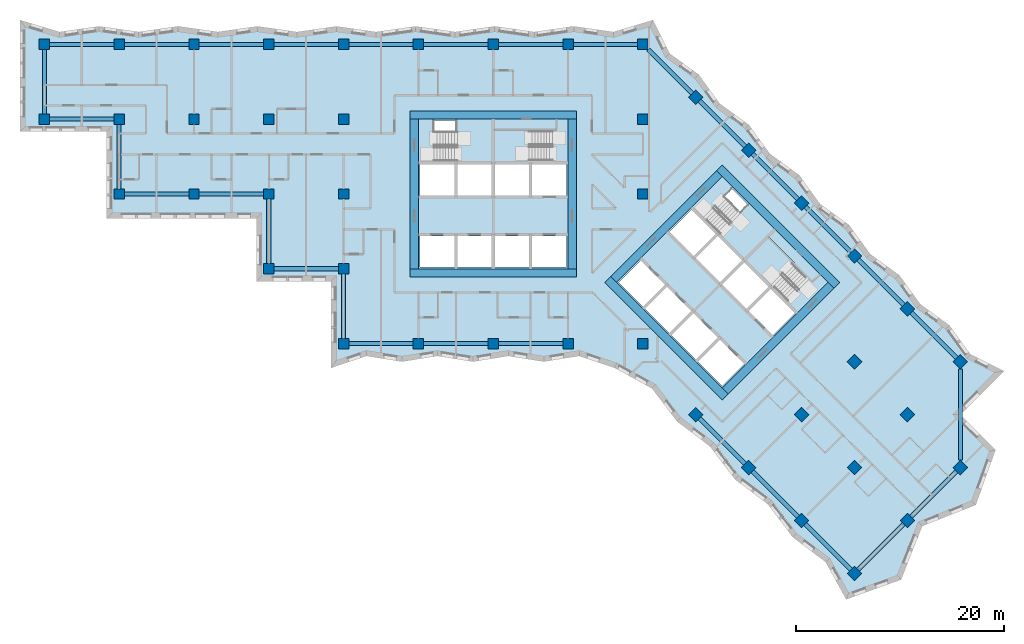
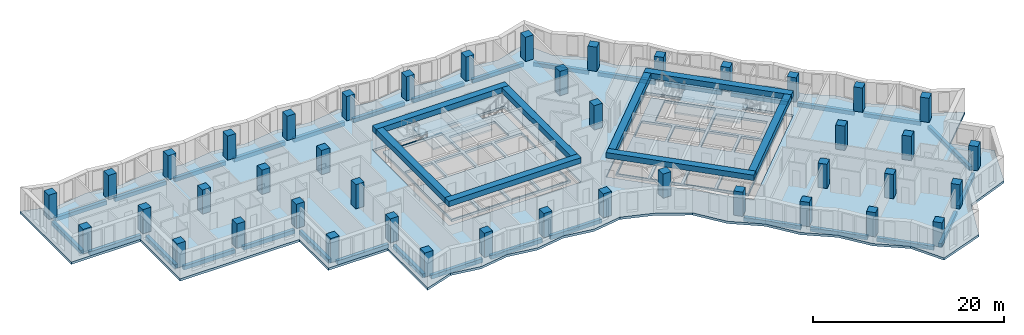
# One storey, part 1 of 13: 43 columns, 39 beams, 7 slabs, 22 openings, 4 elements without a shape of their own.
"""IFC4 building model written with IfcOpenShell, lengths in metres."""

from ifc_helpers import new_model, si_unit, direction, frame, origin, origin_2d, place, context, subcontext, project, spatial, polyline, rectangle, outline, extrude, material, layer, layer_set, material_profile, profile_set, type_object, element, aggregate, save


model = new_model("IFC4")

# Units and contexts
model_context = context("Model", 3, precision=1e-05, world=origin(), true_north=direction((0.0, 1.0)))
body_context = subcontext(model_context, "Body", "Model", "MODEL_VIEW")
ifc_project = project(units=[si_unit("LENGTHUNIT", "METRE"), si_unit("AREAUNIT", "SQUARE_METRE"), si_unit("VOLUMEUNIT", "CUBIC_METRE"), si_unit("PLANEANGLEUNIT", "RADIAN"), si_unit("MASSUNIT", "GRAM", prefix="KILO")], contexts=[model_context])

# Site, building, storey
site_placement = place(None, origin())
site = spatial("IfcSite", under=ifc_project, at=site_placement, CompositionType="ELEMENT")
building_placement = place(site_placement, origin())
building = spatial("IfcBuilding", under=site, at=building_placement, Name="Windrow Commons", CompositionType="ELEMENT")
storey_placement = place(building_placement, frame((0.0, 0.0, 108.4)))
storey = spatial("IfcBuildingStorey", under=building, at=storey_placement, Name="L29", CompositionType="ELEMENT", Elevation=108.4)

# Columns
ifc_material_1 = material(Name="Concrete C60/75", Category="concrete")
ifc_material_profile_1 = material_profile(ifc_material_1, rectangle(XDim=1.0, YDim=1.0, at=origin_2d()))
ifc_profile_set_1 = profile_set([ifc_material_profile_1], Name="Concrete C60/75")
column_type = type_object("IfcColumnType", Name="RC COLUMN 1000x1000 C60/75", PredefinedType="COLUMN", material=ifc_profile_set_1)
for number, where, z_axis, x_axis, name in (
    (1, (21.6, 64.8, 0.0), (0.0, 0.0, 1.0), (1.0, 0.0, 0.0), "C-Z2-04I"),
    (2, (21.6, 72.0, 0.0), (0.0, 0.0, 1.0), (1.0, 0.0, 0.0), "C-Z2-04J"),
    (3, (28.8, 57.6, 0.0), (0.0, 0.0, 1.0), (1.0, 0.0, 0.0), "C-Z2-05H"),
    (4, (28.8, 64.8, 0.0), (0.0, 0.0, 1.0), (1.0, 0.0, 0.0), "C-Z2-05I"),
    (5, (28.8, 72.0, 0.0), (0.0, 0.0, 1.0), (1.0, 0.0, 0.0), "C-Z2-05J"),
    (6, (36.0, 57.6, 0.0), (0.0, 0.0, 1.0), (1.0, 0.0, 0.0), "C-Z2-06H"),
    (7, (36.0, 64.8, 0.0), (0.0, 0.0, 1.0), (1.0, 0.0, 0.0), "C-Z2-06I"),
    (8, (36.0, 72.0, 0.0), (0.0, 0.0, 1.0), (1.0, 0.0, 0.0), "C-Z2-06J"),
    (9, (43.2, 50.4, 0.0), (0.0, 0.0, 1.0), (1.0, 0.0, 0.0), "C-Z2-07G"),
    (10, (43.2, 57.6, 0.0), (0.0, 0.0, 1.0), (1.0, 0.0, 0.0), "C-Z2-07H"),
    (11, (43.2, 64.8, 0.0), (0.0, 0.0, 1.0), (1.0, 0.0, 0.0), "C-Z2-07I"),
    (12, (43.2, 72.0, 0.0), (0.0, 0.0, 1.0), (1.0, 0.0, 0.0), "C-Z2-07J"),
    (13, (50.4, 43.2, 0.0), (0.0, 0.0, 1.0), (1.0, 0.0, 0.0), "C-Z2-08F"),
    (14, (50.4, 50.4, 0.0), (0.0, 0.0, 1.0), (1.0, 0.0, 0.0), "C-Z2-08G"),
    (15, (50.4, 57.6, 0.0), (0.0, 0.0, 1.0), (1.0, 0.0, 0.0), "C-Z2-08H"),
    (16, (50.4, 64.8, 0.0), (0.0, 0.0, 1.0), (1.0, 0.0, 0.0), "C-Z2-08I"),
    (17, (50.4, 72.0, 0.0), (0.0, 0.0, 1.0), (1.0, 0.0, 0.0), "C-Z2-08J"),
    (18, (57.6, 43.2, 0.0), (0.0, 0.0, 1.0), (1.0, 0.0, 0.0), "C-Z2-09F"),
    (19, (57.6, 72.0, 0.0), (0.0, 0.0, 1.0), (1.0, 0.0, 0.0), "C-Z2-09J"),
    (20, (64.8, 43.2, 0.0), (0.0, 0.0, 1.0), (1.0, 0.0, 0.0), "C-Z2-10F"),
    (21, (64.8, 72.0, 0.0), (0.0, 0.0, 1.0), (1.0, 0.0, 0.0), "C-Z2-10J"),
    (22, (72.0, 43.2, 0.0), (0.0, 0.0, 1.0), (1.0, 0.0, 0.0), "C-Z2-11F"),
    (23, (72.0, 72.0, 0.0), (0.0, 0.0, 1.0), (1.0, 0.0, 0.0), "C-Z2-11J"),
    (24, (79.2, 43.2, 0.0), (0.0, 0.0, 1.0), (1.0, 0.0, 0.0), "C-Z2-12F"),
    (25, (79.2, 57.6, 0.0), (0.0, 0.0, 1.0), (1.0, 0.0, 0.0), "C-Z2-12H"),
    (26, (79.2, 64.8, 0.0), (0.0, 0.0, 1.0), (1.0, 0.0, 0.0), "C-Z2-12I"),
    (27, (79.2, 72.0, 0.0), (0.0, 0.0, 1.0), (1.0, 0.0, 0.0), "C-Z2-12J"),
    (28, (84.2912, 66.9088, 0.0), (0.0, 0.0, 1.0), (0.7071067812, -0.7071067812, 0.0), "C-Z2-P2Q"),
    (29, (89.3823, 61.8177, 0.0), (0.0, 0.0, 1.0), (0.7071067812, -0.7071067812, 0.0), "C-Z2-P3Q"),
    (30, (94.4735, 56.7265, 0.0), (0.0, 0.0, 1.0), (0.7071067812, -0.7071067812, 0.0), "C-Z2-P4Q"),
    (31, (99.5647, 51.6353, 0.0), (0.0, 0.0, 1.0), (0.7071067812, -0.7071067812, 0.0), "C-Z2-P5Q"),
    (32, (84.2912, 36.3618, 0.0), (0.0, 0.0, 1.0), (0.7071067812, -0.7071067812, 0.0), "C-Z2-P5T"),
    (33, (104.6558, 46.5442, 0.0), (0.0, 0.0, 1.0), (0.7071067812, -0.7071067812, 0.0), "C-Z2-P6Q"),
    (34, (99.5647, 41.453, 0.0), (0.0, 0.0, 1.0), (0.7071067812, -0.7071067812, 0.0), "C-Z2-P6R"),
    (35, (94.4735, 36.3618, 0.0), (0.0, 0.0, 1.0), (0.7071067812, -0.7071067812, 0.0), "C-Z2-P6S"),
    (36, (89.3823, 31.2706, 0.0), (0.0, 0.0, 1.0), (0.7071067812, -0.7071067812, 0.0), "C-Z2-P6T"),
    (37, (109.747, 41.453, 0.0), (0.0, 0.0, 1.0), (0.7071067812, -0.7071067812, 0.0), "C-Z2-P7Q"),
    (38, (104.6558, 36.3618, 0.0), (0.0, 0.0, 1.0), (0.7071067812, -0.7071067812, 0.0), "C-Z2-P7R"),
    (39, (99.5647, 31.2706, 0.0), (0.0, 0.0, 1.0), (0.7071067812, -0.7071067812, 0.0), "C-Z2-P7S"),
    (40, (94.4735, 26.1795, 0.0), (0.0, 0.0, 1.0), (0.7071067812, -0.7071067812, 0.0), "C-Z2-P7T"),
    (41, (109.747, 31.2706, 0.0), (0.0, 0.0, 1.0), (0.7071067812, -0.7071067812, 0.0), "C-Z2-P8R"),
    (42, (104.6558, 26.1795, 0.0), (0.0, 0.0, 1.0), (0.7071067812, -0.7071067812, 0.0), "C-Z2-P8S"),
    (43, (99.5647, 21.0883, 0.0), (0.0, 0.0, 1.0), (0.7071067812, -0.7071067812, 0.0), "C-Z2-P8T"),
):
    element("IfcColumn", number, at=place(storey_placement, frame(where, z_axis=z_axis, x_axis=x_axis)), inside=storey, type_object=column_type, Name=name, PredefinedType="COLUMN", context=body_context, shape_type="SweptSolid", body=[
        extrude(rectangle(XDim=1.0, YDim=1.0, at=origin_2d()), origin(), (0.0, 0.0, 1.0), 3.1),
    ])

# Beams
ifc_material_2 = material(Name="Concrete C50/60", Category="concrete")
ifc_material_profile_2 = material_profile(ifc_material_2, rectangle(XDim=0.8, YDim=0.7, at=origin_2d()))
ifc_profile_set_2 = profile_set([ifc_material_profile_2], Name="Concrete C50/60")
beam_type_1 = type_object("IfcBeamType", Name="RC COUPLING BEAM 800x700 C50/60", PredefinedType="LINTEL", material=ifc_profile_set_2)
for number, where, z_axis, x_axis, name in (
    (44, (56.8, 50.0, 2.75), (1.0, 0.0, 0.0), (0.0, 1.0, 0.0), "Core A coupling beam outer-S"),
    (45, (56.8, 65.2, 2.75), (1.0, 0.0, 0.0), (0.0, 1.0, 0.0), "Core A coupling beam outer-N"),
):
    element("IfcBeam", number, at=place(storey_placement, frame(where, z_axis=z_axis, x_axis=x_axis)), inside=storey, type_object=beam_type_1, Name=name, PredefinedType="LINTEL", context=body_context, shape_type="SweptSolid", body=[
        extrude(rectangle(XDim=0.8, YDim=0.7, at=origin_2d()), origin(), (0.0, 0.0, 1.0), 16.0),
    ])
for number, where, z_axis, x_axis, name in (
    (46, (57.2, 50.4, 2.75), (0.0, 1.0, 0.0), (-1.0, 0.0, 0.0), "Core A coupling beam outer-W"),
    (47, (72.4, 50.4, 2.75), (0.0, 1.0, 0.0), (-1.0, 0.0, 0.0), "Core A coupling beam outer-E"),
):
    element("IfcBeam", number, at=place(storey_placement, frame(where, z_axis=z_axis, x_axis=x_axis)), inside=storey, type_object=beam_type_1, Name=name, PredefinedType="LINTEL", context=body_context, shape_type="SweptSolid", body=[
        extrude(rectangle(XDim=0.8, YDim=0.7, at=origin_2d()), origin(), (0.0, 0.0, 1.0), 14.4),
    ])
for number, where, z_axis, x_axis, name in (
    (48, (75.8059, 49.3726, 2.75), (0.7071067812, -0.7071067812, 0.0), (0.7071067812, 0.7071067812, 0.0), "Core B coupling beam outer-S"),
    (49, (86.5539, 60.1206, 2.75), (0.7071067812, -0.7071067812, 0.0), (0.7071067812, 0.7071067812, 0.0), "Core B coupling beam outer-N"),
):
    element("IfcBeam", number, at=place(storey_placement, frame(where, z_axis=z_axis, x_axis=x_axis)), inside=storey, type_object=beam_type_1, Name=name, PredefinedType="LINTEL", context=body_context, shape_type="SweptSolid", body=[
        extrude(rectangle(XDim=0.8, YDim=0.7, at=origin_2d()), origin(), (0.0, 0.0, 1.0), 16.0),
    ])
for number, where, z_axis, x_axis, name in (
    (50, (76.3716, 49.3726, 2.75), (0.7071067812, 0.7071067812, 0.0), (-0.7071067812, 0.7071067812, 0.0), "Core B coupling beam outer-W"),
    (51, (87.1196, 38.6246, 2.75), (0.7071067812, 0.7071067812, 0.0), (-0.7071067812, 0.7071067812, 0.0), "Core B coupling beam outer-E"),
):
    element("IfcBeam", number, at=place(storey_placement, frame(where, z_axis=z_axis, x_axis=x_axis)), inside=storey, type_object=beam_type_1, Name=name, PredefinedType="LINTEL", context=body_context, shape_type="SweptSolid", body=[
        extrude(rectangle(XDim=0.8, YDim=0.7, at=origin_2d()), origin(), (0.0, 0.0, 1.0), 14.3999),
    ])
ifc_material_3 = material(Name="Concrete C50/60", Category="concrete")
ifc_material_profile_3 = material_profile(ifc_material_3, rectangle(XDim=0.4, YDim=0.5, at=origin_2d()))
ifc_profile_set_3 = profile_set([ifc_material_profile_3], Name="Concrete C50/60")
beam_type_2 = type_object("IfcBeamType", Name="RC EDGE BEAM 400x500 C50/60", PredefinedType="SPANDREL", material=ifc_profile_set_3)
for number, where, z_axis, x_axis, name in (
    (52, (35.5, 57.6, -0.55), (-1.0, 0.0, 0.0), (0.0, -1.0, 0.0), "Edge beam L29 001"),
    (53, (28.8, 58.1, -0.55), (0.0, 1.0, 0.0), (-1.0, 0.0, 0.0), "Edge beam L29 002"),
    (54, (28.3, 64.8, -0.55), (-1.0, 0.0, 0.0), (0.0, -1.0, 0.0), "Edge beam L29 003"),
    (55, (21.6, 65.3, -0.55), (0.0, 1.0, 0.0), (-1.0, 0.0, 0.0), "Edge beam L29 004"),
    (56, (22.1, 72.0, -0.55), (1.0, 0.0, 0.0), (0.0, 1.0, 0.0), "Edge beam L29 005"),
    (57, (29.3, 72.0, -0.55), (1.0, 0.0, 0.0), (0.0, 1.0, 0.0), "Edge beam L29 006"),
    (58, (36.5, 72.0, -0.55), (1.0, 0.0, 0.0), (0.0, 1.0, 0.0), "Edge beam L29 007"),
    (59, (43.7, 72.0, -0.55), (1.0, 0.0, 0.0), (0.0, 1.0, 0.0), "Edge beam L29 008"),
    (60, (50.9, 72.0, -0.55), (1.0, 0.0, 0.0), (0.0, 1.0, 0.0), "Edge beam L29 009"),
    (61, (58.1, 72.0, -0.55), (1.0, 0.0, 0.0), (0.0, 1.0, 0.0), "Edge beam L29 010"),
    (62, (65.3, 72.0, -0.55), (1.0, 0.0, 0.0), (0.0, 1.0, 0.0), "Edge beam L29 011"),
    (63, (72.5, 72.0, -0.55), (1.0, 0.0, 0.0), (0.0, 1.0, 0.0), "Edge beam L29 012"),
):
    element("IfcBeam", number, at=place(storey_placement, frame(where, z_axis=z_axis, x_axis=x_axis)), inside=storey, type_object=beam_type_2, Name=name, PredefinedType="SPANDREL", context=body_context, shape_type="SweptSolid", body=[
        extrude(rectangle(XDim=0.4, YDim=0.5, at=origin_2d()), origin(), (0.0, 0.0, 1.0), 6.2),
    ])
beam_1_placement = place(storey_placement, frame((79.7, 71.5, -0.55), z_axis=(0.7071067812, -0.7071067812, 0.0), x_axis=(0.7071067812, 0.7071067812, 0.0)))
element("IfcBeam", 64, at=beam_1_placement, inside=storey, type_object=beam_type_2, Name="Edge beam L29 013", PredefinedType="SPANDREL", context=body_context, shape_type="SweptSolid", body=[
    extrude(rectangle(XDim=0.4, YDim=0.5, at=origin_2d()), origin(), (0.0, 0.0, 1.0), 5.9929),
])
beam_2_placement = place(storey_placement, frame((84.6448, 66.5552, -0.55), z_axis=(0.7071067812, -0.7071067812, 0.0), x_axis=(0.7071067812, 0.7071067812, 0.0)))
element("IfcBeam", 65, at=beam_2_placement, inside=storey, type_object=beam_type_2, Name="Edge beam L29 014", PredefinedType="SPANDREL", context=body_context, shape_type="SweptSolid", body=[
    extrude(rectangle(XDim=0.4, YDim=0.5, at=origin_2d()), origin(), (0.0, 0.0, 1.0), 6.1998),
])
for number, where, z_axis, x_axis, name in (
    (66, (89.7359, 61.4641, -0.55), (0.7071067812, -0.7071067812, 0.0), (0.7071067812, 0.7071067812, 0.0), "Edge beam L29 015"),
    (67, (94.8271, 56.3729, -0.55), (0.7071067812, -0.7071067812, 0.0), (0.7071067812, 0.7071067812, 0.0), "Edge beam L29 016"),
):
    element("IfcBeam", number, at=place(storey_placement, frame(where, z_axis=z_axis, x_axis=x_axis)), inside=storey, type_object=beam_type_2, Name=name, PredefinedType="SPANDREL", context=body_context, shape_type="SweptSolid", body=[
        extrude(rectangle(XDim=0.4, YDim=0.5, at=origin_2d()), origin(), (0.0, 0.0, 1.0), 6.1999),
    ])
beam_3_placement = place(storey_placement, frame((99.9183, 51.2817, -0.55), z_axis=(0.7071067812, -0.7071067812, 0.0), x_axis=(0.7071067812, 0.7071067812, 0.0)))
element("IfcBeam", 68, at=beam_3_placement, inside=storey, type_object=beam_type_2, Name="Edge beam L29 017", PredefinedType="SPANDREL", context=body_context, shape_type="SweptSolid", body=[
    extrude(rectangle(XDim=0.4, YDim=0.5, at=origin_2d()), origin(), (0.0, 0.0, 1.0), 6.1998),
])
beam_4_placement = place(storey_placement, frame((105.0094, 46.1906, -0.55), z_axis=(0.7071067812, -0.7071067812, 0.0), x_axis=(0.7071067812, 0.7071067812, 0.0)))
element("IfcBeam", 69, at=beam_4_placement, inside=storey, type_object=beam_type_2, Name="Edge beam L29 018", PredefinedType="SPANDREL", context=body_context, shape_type="SweptSolid", body=[
    extrude(rectangle(XDim=0.4, YDim=0.5, at=origin_2d()), origin(), (0.0, 0.0, 1.0), 6.1999),
])
beam_5_placement = place(storey_placement, frame((109.747, 40.7459, -0.55), z_axis=(0.0, -1.0, 0.0), x_axis=(1.0, 0.0, 0.0)))
element("IfcBeam", 70, at=beam_5_placement, inside=storey, type_object=beam_type_2, Name="Edge beam L29 019", PredefinedType="SPANDREL", context=body_context, shape_type="SweptSolid", body=[
    extrude(rectangle(XDim=0.4, YDim=0.5, at=origin_2d()), origin(), (0.0, 0.0, 1.0), 8.7682),
])
for number, where, z_axis, x_axis, name in (
    (71, (109.3934, 30.917, -0.55), (-0.7071148459, -0.7070987164, 0.0), (0.7070987164, -0.7071148459, 0.0), "Edge beam L29 020"),
    (72, (104.3022, 25.8259, -0.55), (-0.7070987164, -0.7071148459, 0.0), (0.7071148459, -0.7070987164, 0.0), "Edge beam L29 021"),
):
    element("IfcBeam", number, at=place(storey_placement, frame(where, z_axis=z_axis, x_axis=x_axis)), inside=storey, type_object=beam_type_2, Name=name, PredefinedType="SPANDREL", context=body_context, shape_type="SweptSolid", body=[
        extrude(rectangle(XDim=0.4, YDim=0.5, at=origin_2d()), origin(), (0.0, 0.0, 1.0), 6.1998),
    ])
beam_6_placement = place(storey_placement, frame((99.2111, 21.4419, -0.55), z_axis=(-0.7071067812, 0.7071067812, 0.0), x_axis=(-0.7071067812, -0.7071067812, 0.0)))
element("IfcBeam", 73, at=beam_6_placement, inside=storey, type_object=beam_type_2, Name="Edge beam L29 022", PredefinedType="SPANDREL", context=body_context, shape_type="SweptSolid", body=[
    extrude(rectangle(XDim=0.4, YDim=0.5, at=origin_2d()), origin(), (0.0, 0.0, 1.0), 6.1999),
])
for number, where, z_axis, x_axis, name in (
    (74, (94.1199, 26.5331, -0.55), (-0.7071148459, 0.7070987164, 0.0), (-0.7070987164, -0.7071148459, 0.0), "Edge beam L29 023"),
    (75, (89.0287, 31.6242, -0.55), (-0.7070987164, 0.7071148459, 0.0), (-0.7071148459, -0.7070987164, 0.0), "Edge beam L29 024"),
):
    element("IfcBeam", number, at=place(storey_placement, frame(where, z_axis=z_axis, x_axis=x_axis)), inside=storey, type_object=beam_type_2, Name=name, PredefinedType="SPANDREL", context=body_context, shape_type="SweptSolid", body=[
        extrude(rectangle(XDim=0.4, YDim=0.5, at=origin_2d()), origin(), (0.0, 0.0, 1.0), 6.1998),
    ])
for number, where, z_axis, x_axis, name in (
    (76, (71.5, 43.2, -0.55), (-1.0, 0.0, 0.0), (0.0, -1.0, 0.0), "Edge beam L29 025"),
    (77, (64.3, 43.2, -0.55), (-1.0, 0.0, 0.0), (0.0, -1.0, 0.0), "Edge beam L29 026"),
    (78, (57.1, 43.2, -0.55), (-1.0, 0.0, 0.0), (0.0, -1.0, 0.0), "Edge beam L29 027"),
    (79, (50.4, 43.7, -0.55), (0.0, 1.0, 0.0), (-1.0, 0.0, 0.0), "Edge beam L29 028"),
    (80, (49.9, 50.4, -0.55), (-1.0, 0.0, 0.0), (0.0, -1.0, 0.0), "Edge beam L29 029"),
    (81, (43.2, 50.9, -0.55), (0.0, 1.0, 0.0), (-1.0, 0.0, 0.0), "Edge beam L29 030"),
    (82, (42.7, 57.6, -0.55), (-1.0, 0.0, 0.0), (0.0, -1.0, 0.0), "Edge beam L29 031"),
):
    element("IfcBeam", number, at=place(storey_placement, frame(where, z_axis=z_axis, x_axis=x_axis)), inside=storey, type_object=beam_type_2, Name=name, PredefinedType="SPANDREL", context=body_context, shape_type="SweptSolid", body=[
        extrude(rectangle(XDim=0.4, YDim=0.5, at=origin_2d()), origin(), (0.0, 0.0, 1.0), 6.2),
    ])

# Slab, openings
ifc_material_4 = material(Name="Concrete C50/60", Category="concrete")
ifc_layer_1 = layer(ifc_material_4, 0.3)
ifc_layer_set_1 = layer_set([ifc_layer_1], Name="CORE FLOOR SLAB 300 C50/60")
slab_type_1 = type_object("IfcSlabType", Name="CORE FLOOR SLAB 300 C50/60", PredefinedType="FLOOR", material=ifc_layer_set_1)
placement_1 = place(storey_placement, frame((0.0, 0.0, -0.3)))
slab_1 = element("IfcSlab", 83, at=placement_1, inside=storey, type_object=slab_type_1, Name="S-L29-core-A", PredefinedType="FLOOR", context=body_context, shape_type="SweptSolid", body=[
    extrude(outline(polyline([(57.6, 50.4), (72.0, 50.4), (72.0, 64.8), (57.6, 64.8), (57.6, 50.4)]), holes=[polyline([(57.75, 50.55), (61.05, 50.55), (61.05, 53.55), (57.75, 53.55), (57.75, 50.55)]), polyline([(61.35, 50.55), (64.65, 50.55), (64.65, 53.55), (61.35, 53.55), (61.35, 50.55)]), polyline([(64.95, 50.55), (68.25, 50.55), (68.25, 53.55), (64.95, 53.55), (64.95, 50.55)]), polyline([(68.55, 50.55), (71.85, 50.55), (71.85, 53.55), (68.55, 53.55), (68.55, 50.55)]), polyline([(57.75, 57.45), (61.05, 57.45), (61.05, 60.45), (57.75, 60.45), (57.75, 57.45)]), polyline([(61.35, 57.45), (64.65, 57.45), (64.65, 60.45), (61.35, 60.45), (61.35, 57.45)]), polyline([(64.95, 57.45), (68.25, 57.45), (68.25, 60.45), (64.95, 60.45), (64.95, 57.45)]), polyline([(68.55, 57.45), (71.85, 57.45), (71.85, 60.45), (68.55, 60.45), (68.55, 57.45)]), polyline([(59.1, 60.75), (64.65, 60.75), (64.65, 64.65), (59.1, 64.65), (59.1, 60.75)]), polyline([(64.95, 60.75), (70.5, 60.75), (70.5, 63.705), (64.95, 63.705), (64.95, 60.75)])]), origin(), (0.0, 0.0, 1.0), 0.3),
])
opening_1_placement = place(placement_1, origin())
element("IfcOpeningElement", 84, at=opening_1_placement, cuts=slab_1, Name="Slab opening S-L29-core-A 1", PredefinedType="OPENING", context=body_context, shape_type="SweptSolid", body=[
    extrude(outline(polyline([(57.755, 50.555), (57.755, 53.545), (61.045, 53.545), (61.045, 50.555), (57.755, 50.555)])), origin(), (0.0, 0.0, 1.0), 0.3),
])
opening_2_placement = place(placement_1, origin())
element("IfcOpeningElement", 85, at=opening_2_placement, cuts=slab_1, Name="Slab opening S-L29-core-A 2", PredefinedType="OPENING", context=body_context, shape_type="SweptSolid", body=[
    extrude(outline(polyline([(61.355, 50.555), (61.355, 53.545), (64.645, 53.545), (64.645, 50.555), (61.355, 50.555)])), origin(), (0.0, 0.0, 1.0), 0.3),
])
opening_3_placement = place(placement_1, origin())
element("IfcOpeningElement", 86, at=opening_3_placement, cuts=slab_1, Name="Slab opening S-L29-core-A 3", PredefinedType="OPENING", context=body_context, shape_type="SweptSolid", body=[
    extrude(outline(polyline([(64.955, 50.555), (64.955, 53.545), (68.245, 53.545), (68.245, 50.555), (64.955, 50.555)])), origin(), (0.0, 0.0, 1.0), 0.3),
])
opening_4_placement = place(placement_1, origin())
element("IfcOpeningElement", 87, at=opening_4_placement, cuts=slab_1, Name="Slab opening S-L29-core-A 4", PredefinedType="OPENING", context=body_context, shape_type="SweptSolid", body=[
    extrude(outline(polyline([(68.555, 50.555), (68.555, 53.545), (71.845, 53.545), (71.845, 50.555), (68.555, 50.555)])), origin(), (0.0, 0.0, 1.0), 0.3),
])
opening_5_placement = place(placement_1, origin())
element("IfcOpeningElement", 88, at=opening_5_placement, cuts=slab_1, Name="Slab opening S-L29-core-A 5", PredefinedType="OPENING", context=body_context, shape_type="SweptSolid", body=[
    extrude(outline(polyline([(57.755, 57.455), (57.755, 60.445), (61.045, 60.445), (61.045, 57.455), (57.755, 57.455)])), origin(), (0.0, 0.0, 1.0), 0.3),
])
opening_6_placement = place(placement_1, origin())
element("IfcOpeningElement", 89, at=opening_6_placement, cuts=slab_1, Name="Slab opening S-L29-core-A 6", PredefinedType="OPENING", context=body_context, shape_type="SweptSolid", body=[
    extrude(outline(polyline([(61.355, 57.455), (61.355, 60.445), (64.645, 60.445), (64.645, 57.455), (61.355, 57.455)])), origin(), (0.0, 0.0, 1.0), 0.3),
])
opening_7_placement = place(placement_1, origin())
element("IfcOpeningElement", 90, at=opening_7_placement, cuts=slab_1, Name="Slab opening S-L29-core-A 7", PredefinedType="OPENING", context=body_context, shape_type="SweptSolid", body=[
    extrude(outline(polyline([(64.955, 57.455), (64.955, 60.445), (68.245, 60.445), (68.245, 57.455), (64.955, 57.455)])), origin(), (0.0, 0.0, 1.0), 0.3),
])
opening_8_placement = place(placement_1, origin())
element("IfcOpeningElement", 91, at=opening_8_placement, cuts=slab_1, Name="Slab opening S-L29-core-A 8", PredefinedType="OPENING", context=body_context, shape_type="SweptSolid", body=[
    extrude(outline(polyline([(68.555, 57.455), (68.555, 60.445), (71.845, 60.445), (71.845, 57.455), (68.555, 57.455)])), origin(), (0.0, 0.0, 1.0), 0.3),
])
opening_9_placement = place(placement_1, origin())
element("IfcOpeningElement", 92, at=opening_9_placement, cuts=slab_1, Name="Slab opening S-L29-core-A 9", PredefinedType="OPENING", context=body_context, shape_type="SweptSolid", body=[
    extrude(outline(polyline([(59.105, 60.755), (59.105, 64.645), (64.645, 64.645), (64.645, 60.755), (59.105, 60.755)])), origin(), (0.0, 0.0, 1.0), 0.3),
])
opening_10_placement = place(placement_1, origin())
element("IfcOpeningElement", 93, at=opening_10_placement, cuts=slab_1, Name="Slab opening S-L29-core-A 10", PredefinedType="OPENING", context=body_context, shape_type="SweptSolid", body=[
    extrude(outline(polyline([(64.955, 60.755), (64.955, 63.7), (70.495, 63.7), (70.495, 60.755), (64.955, 60.755)])), origin(), (0.0, 0.0, 1.0), 0.3),
])

slab_2 = element("IfcSlab", 94, at=placement_1, inside=storey, type_object=slab_type_1, Name="S-L29-core-B", PredefinedType="FLOOR", context=body_context, shape_type="SweptSolid", body=[
    extrude(outline(polyline([(76.6544, 49.0897), (86.8368, 38.9074), (97.0191, 49.0897), (86.8368, 59.2721), (76.6544, 49.0897)]), holes=[polyline([(76.8665, 49.0897), (79.2, 46.7563), (81.3213, 48.8776), (78.9879, 51.2111), (76.8665, 49.0897)]), polyline([(79.4121, 46.5442), (81.7456, 44.2107), (83.8669, 46.332), (81.5335, 48.6655), (79.4121, 46.5442)]), polyline([(81.9577, 43.9986), (84.2912, 41.6651), (86.4125, 43.7864), (84.079, 46.1199), (81.9577, 43.9986)]), polyline([(84.5033, 41.453), (86.8368, 39.1195), (88.9581, 41.2409), (86.6246, 43.5743), (84.5033, 41.453)]), polyline([(81.7456, 53.9688), (84.079, 51.6353), (86.2004, 53.7566), (83.8669, 56.0901), (81.7456, 53.9688)]), polyline([(84.2912, 51.4232), (86.6246, 49.0897), (88.7459, 51.2111), (86.4125, 53.5445), (84.2912, 51.4232)]), polyline([(86.8368, 48.8776), (89.1702, 46.5442), (91.2915, 48.6655), (88.9581, 50.9989), (86.8368, 48.8776)]), polyline([(89.3823, 46.332), (91.7158, 43.9986), (93.8371, 46.1199), (91.5037, 48.4533), (89.3823, 46.332)]), polyline([(85.0336, 55.3476), (88.9581, 51.4232), (91.7158, 54.1809), (87.7913, 58.1054), (85.0336, 55.3476)]), polyline([(89.1702, 51.2111), (93.0946, 47.2866), (95.1841, 49.3761), (91.2597, 53.3006), (89.1702, 51.2111)])]), origin(), (0.0, 0.0, 1.0), 0.3),
])
opening_11_placement = place(placement_1, origin())
element("IfcOpeningElement", 95, at=opening_11_placement, cuts=slab_2, Name="Slab opening S-L29-core-B 1", PredefinedType="OPENING", context=body_context, shape_type="SweptSolid", body=[
    extrude(outline(polyline([(76.8736, 49.0897), (78.9879, 51.204), (81.3142, 48.8776), (79.2, 46.7634), (76.8736, 49.0897)])), origin(), (0.0, 0.0, 1.0), 0.3),
])
opening_12_placement = place(placement_1, origin())
element("IfcOpeningElement", 96, at=opening_12_placement, cuts=slab_2, Name="Slab opening S-L29-core-B 2", PredefinedType="OPENING", context=body_context, shape_type="SweptSolid", body=[
    extrude(outline(polyline([(79.4192, 46.5442), (81.5335, 48.6584), (83.8598, 46.332), (81.7456, 44.2178), (79.4192, 46.5442)])), origin(), (0.0, 0.0, 1.0), 0.3),
])
opening_13_placement = place(placement_1, origin())
element("IfcOpeningElement", 97, at=opening_13_placement, cuts=slab_2, Name="Slab opening S-L29-core-B 3", PredefinedType="OPENING", context=body_context, shape_type="SweptSolid", body=[
    extrude(outline(polyline([(81.9648, 43.9986), (84.079, 46.1128), (86.4054, 43.7864), (84.2912, 41.6722), (81.9648, 43.9986)])), origin(), (0.0, 0.0, 1.0), 0.3),
])
opening_14_placement = place(placement_1, origin())
element("IfcOpeningElement", 98, at=opening_14_placement, cuts=slab_2, Name="Slab opening S-L29-core-B 4", PredefinedType="OPENING", context=body_context, shape_type="SweptSolid", body=[
    extrude(outline(polyline([(84.5104, 41.453), (86.6246, 43.5672), (88.951, 41.2409), (86.8368, 39.1266), (84.5104, 41.453)])), origin(), (0.0, 0.0, 1.0), 0.3),
])
opening_15_placement = place(placement_1, origin())
element("IfcOpeningElement", 99, at=opening_15_placement, cuts=slab_2, Name="Slab opening S-L29-core-B 5", PredefinedType="OPENING", context=body_context, shape_type="SweptSolid", body=[
    extrude(outline(polyline([(81.7527, 53.9688), (83.8669, 56.083), (86.1933, 53.7566), (84.079, 51.6424), (81.7527, 53.9688)])), origin(), (0.0, 0.0, 1.0), 0.3),
])
opening_16_placement = place(placement_1, origin())
element("IfcOpeningElement", 100, at=opening_16_placement, cuts=slab_2, Name="Slab opening S-L29-core-B 6", PredefinedType="OPENING", context=body_context, shape_type="SweptSolid", body=[
    extrude(outline(polyline([(84.2983, 51.4232), (86.4125, 53.5374), (88.7388, 51.2111), (86.6246, 49.0968), (84.2983, 51.4232)])), origin(), (0.0, 0.0, 1.0), 0.3),
])
opening_17_placement = place(placement_1, origin())
element("IfcOpeningElement", 101, at=opening_17_placement, cuts=slab_2, Name="Slab opening S-L29-core-B 7", PredefinedType="OPENING", context=body_context, shape_type="SweptSolid", body=[
    extrude(outline(polyline([(86.8439, 48.8776), (88.9581, 50.9918), (91.2844, 48.6655), (89.1702, 46.5513), (86.8439, 48.8776)])), origin(), (0.0, 0.0, 1.0), 0.3),
])
opening_18_placement = place(placement_1, origin())
element("IfcOpeningElement", 102, at=opening_18_placement, cuts=slab_2, Name="Slab opening S-L29-core-B 8", PredefinedType="OPENING", context=body_context, shape_type="SweptSolid", body=[
    extrude(outline(polyline([(89.3894, 46.332), (91.5037, 48.4462), (93.83, 46.1199), (91.7158, 44.0057), (89.3894, 46.332)])), origin(), (0.0, 0.0, 1.0), 0.3),
])
opening_19_placement = place(placement_1, origin())
element("IfcOpeningElement", 103, at=opening_19_placement, cuts=slab_2, Name="Slab opening S-L29-core-B 9", PredefinedType="OPENING", context=body_context, shape_type="SweptSolid", body=[
    extrude(outline(polyline([(85.0407, 55.3476), (87.7913, 58.0983), (91.7087, 54.1809), (88.9581, 51.4303), (85.0407, 55.3476)])), origin(), (0.0, 0.0, 1.0), 0.3),
])
opening_20_placement = place(placement_1, origin())
element("IfcOpeningElement", 104, at=opening_20_placement, cuts=slab_2, Name="Slab opening S-L29-core-B 10", PredefinedType="OPENING", context=body_context, shape_type="SweptSolid", body=[
    extrude(outline(polyline([(89.1773, 51.2111), (91.2597, 53.2935), (95.177, 49.3761), (93.0946, 47.2937), (89.1773, 51.2111)])), origin(), (0.0, 0.0, 1.0), 0.3),
])

# Stair, slab
ifc_material_5 = material(Name="Concrete C40/50", Category="concrete")
stair_type = type_object("IfcStairType", Name="Core stair", PredefinedType="HALF_TURN_STAIR", material=ifc_material_5)
placement_2 = place(storey_placement, origin())
stair_1 = element("IfcStair", 105, at=placement_2, inside=storey, type_object=stair_type, Name="L29 Exit stair A1 core A", PredefinedType="HALF_TURN_STAIR")
ifc_material_6 = material(Name="Concrete C40/50", Category="concrete")
ifc_layer_2 = layer(ifc_material_6, 0.2)
ifc_layer_set_2 = layer_set([ifc_layer_2], Name="Core stair landing")
slab_type_2 = type_object("IfcSlabType", Name="Core stair landing", PredefinedType="LANDING", material=ifc_layer_set_2)
placement_3 = place(storey_placement, frame((0.0, 0.0, 1.5)))
slab_3 = element("IfcSlab", 106, at=placement_3, type_object=slab_type_2, Name="ST-A1 landing 1", PredefinedType="LANDING", context=body_context, shape_type="SweptSolid", body=[
    extrude(outline(polyline([(61.22, 60.5), (64.8, 60.5), (64.8, 64.9), (61.22, 64.9), (61.22, 60.5)])), origin(), (0.0, 0.0, 1.0), 0.2),
])
aggregate(stair_1, [slab_3])

stair_2 = element("IfcStair", 107, at=placement_2, inside=storey, type_object=stair_type, Name="L29 Exit stair A2 core A", PredefinedType="HALF_TURN_STAIR")
slab_4 = element("IfcSlab", 108, at=placement_3, type_object=slab_type_2, Name="ST-A2 landing 1", PredefinedType="LANDING", context=body_context, shape_type="SweptSolid", body=[
    extrude(outline(polyline([(64.8, 60.5), (68.38, 60.5), (68.38, 63.855), (64.8, 63.855), (64.8, 60.5)])), origin(), (0.0, 0.0, 1.0), 0.2),
])
aggregate(stair_2, [slab_4])

stair_3 = element("IfcStair", 109, at=placement_2, inside=storey, type_object=stair_type, Name="L29 Exit stair B1 core B", PredefinedType="HALF_TURN_STAIR")
slab_5 = element("IfcSlab", 110, at=placement_3, type_object=slab_type_2, Name="ST-B1 landing 1", PredefinedType="LANDING", context=body_context, shape_type="SweptSolid", body=[
    extrude(outline(polyline([(86.3559, 53.6718), (88.8874, 51.1403), (91.9986, 54.2516), (89.4672, 56.7831), (86.3559, 53.6718)])), origin(), (0.0, 0.0, 1.0), 0.2),
])
aggregate(stair_3, [slab_5])

stair_4 = element("IfcStair", 111, at=placement_2, inside=storey, type_object=stair_type, Name="L29 Exit stair B2 core B", PredefinedType="HALF_TURN_STAIR")
slab_6 = element("IfcSlab", 112, at=placement_3, type_object=slab_type_2, Name="ST-B2 landing 1", PredefinedType="LANDING", context=body_context, shape_type="SweptSolid", body=[
    extrude(outline(polyline([(88.8874, 51.1403), (91.4188, 48.6089), (93.7911, 50.9812), (91.2597, 53.5127), (88.8874, 51.1403)])), origin(), (0.0, 0.0, 1.0), 0.2),
])
aggregate(stair_4, [slab_6])

# Slab, openings
ifc_material_7 = material(Name="Concrete C50/60", Category="concrete")
ifc_layer_3 = layer(ifc_material_7, 0.3)
ifc_layer_set_3 = layer_set([ifc_layer_3], Name="FLOOR SLAB 300 C50/60")
slab_type_3 = type_object("IfcSlabType", Name="FLOOR SLAB 300 C50/60", PredefinedType="FLOOR", material=ifc_layer_set_3)
slab_7 = element("IfcSlab", 113, at=placement_1, inside=storey, type_object=slab_type_3, Name="S-L29-floor", PredefinedType="FLOOR", context=body_context, shape_type="SweptSolid", body=[
    extrude(outline(polyline([(96.7804, 22.1756), (98.7572, 18.5838), (104.0502, 20.4827), (106.0906, 25.6343), (111.2422, 27.6747), (113.1411, 32.9677), (109.747, 36.3618), (113.9486, 40.5634), (110.7284, 42.1687), (108.6989, 44.9647), (105.9029, 46.9942), (103.8734, 49.7902), (101.0774, 51.8197), (99.0479, 54.6157), (96.2519, 56.6452), (94.2224, 59.4412), (91.4264, 61.4707), (89.3969, 64.2667), (86.6009, 66.2962), (84.5714, 69.0922), (81.7754, 71.1217), (80.1701, 74.342), (76.3631, 73.2), (72.5561, 73.742), (68.7491, 73.2), (64.9421, 73.742), (61.1351, 73.2), (57.3281, 73.742), (53.5211, 73.2), (49.7141, 73.742), (45.9071, 73.2), (42.1, 73.742), (38.293, 73.2), (34.486, 73.742), (30.679, 73.2), (26.872, 73.742), (23.065, 73.2), (19.258, 74.342), (19.258, 63.6), (27.6, 63.6), (27.6, 55.258), (42.0, 55.258), (42.0, 49.2), (49.2, 49.2), (49.2, 40.858), (52.6104, 42.0), (56.0207, 41.458), (59.4311, 42.0), (62.8414, 41.458), (66.2518, 42.0), (69.6622, 41.458), (73.0725, 42.0), (76.4829, 40.858), (80.0747, 38.8812), (82.4757, 35.7137), (85.6433, 33.3127), (88.0443, 30.1452), (91.2118, 27.7441), (93.6129, 24.5766), (96.7804, 22.1756)]), holes=[polyline([(75.523, 49.0897), (86.8368, 60.4034), (98.1505, 49.0897), (86.8368, 37.776), (75.523, 49.0897)]), polyline([(56.8, 49.6), (56.8, 65.6), (72.8, 65.6), (72.8, 49.6), (56.8, 49.6)])]), origin(), (0.0, 0.0, 1.0), 0.3),
])
opening_21_placement = place(placement_1, origin())
element("IfcOpeningElement", 114, at=opening_21_placement, cuts=slab_7, Name="Slab opening S-L29-floor 1", PredefinedType="OPENING", context=body_context, shape_type="SweptSolid", body=[
    extrude(outline(polyline([(75.5301, 49.0897), (86.8368, 60.3963), (98.1434, 49.0897), (86.8368, 37.7831), (75.5301, 49.0897)])), origin(), (0.0, 0.0, 1.0), 0.3),
])
opening_22_placement = place(placement_1, origin())
element("IfcOpeningElement", 115, at=opening_22_placement, cuts=slab_7, Name="Slab opening S-L29-floor 2", PredefinedType="OPENING", context=body_context, shape_type="SweptSolid", body=[
    extrude(outline(polyline([(56.805, 49.605), (56.805, 65.595), (72.795, 65.595), (72.795, 49.605), (56.805, 49.605)])), origin(), (0.0, 0.0, 1.0), 0.3),
])

save(model, "model.ifc")
